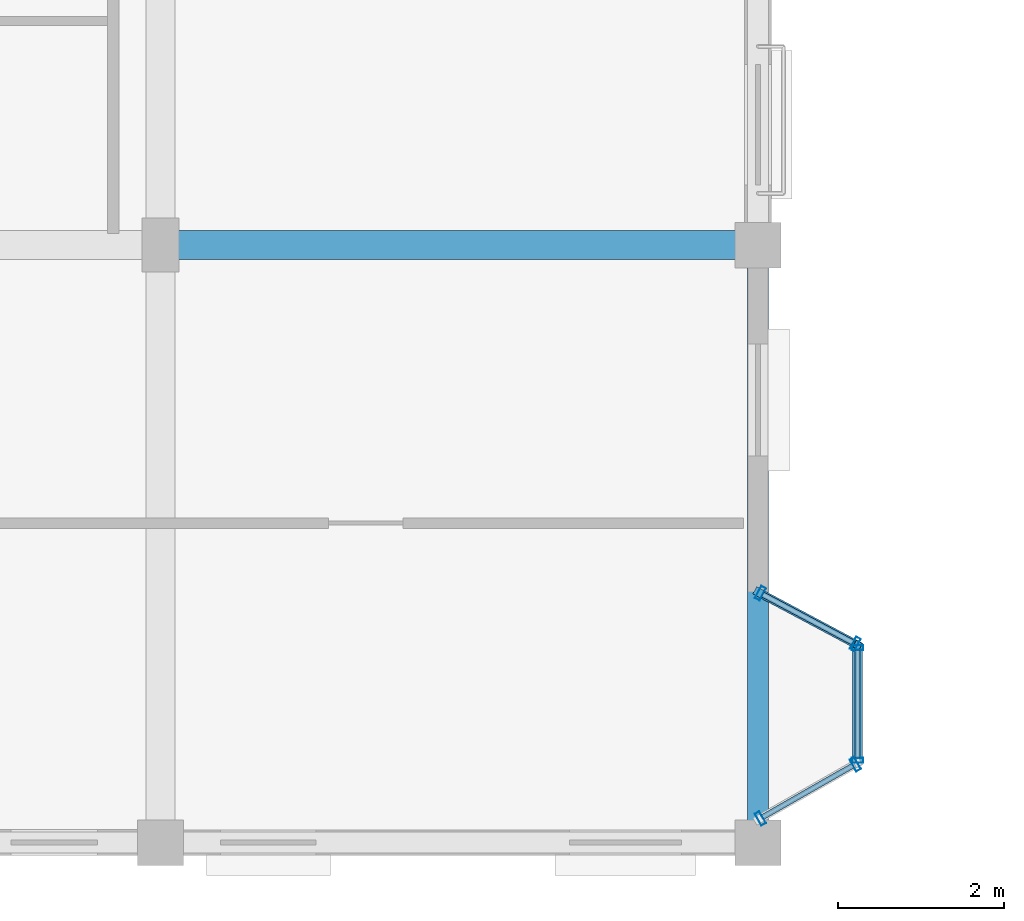
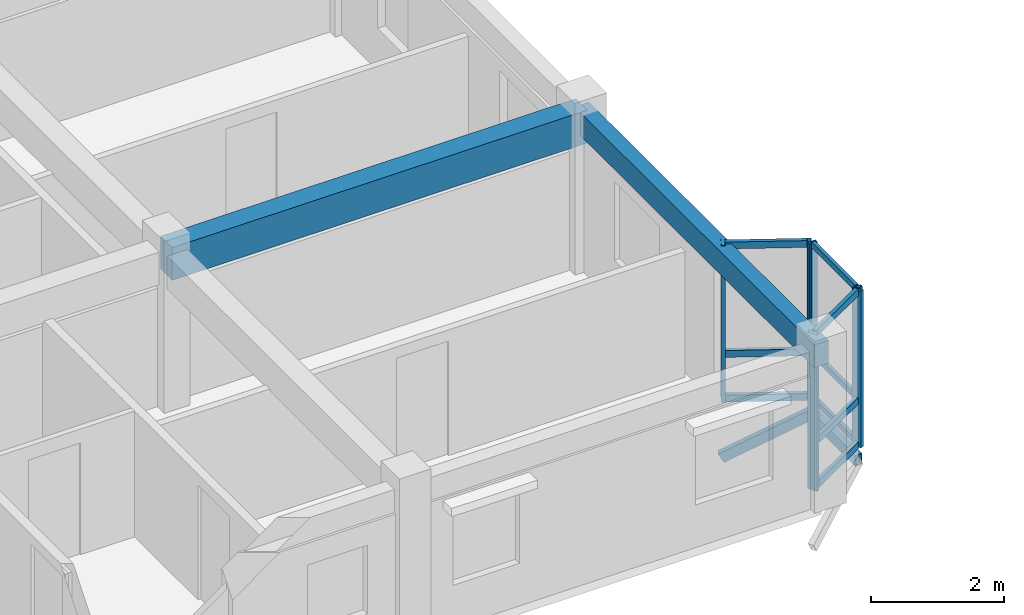
# One storey, part 6 of 75: 17 members, 2 beams, 3 elements without a shape of their own.
"""IFC4 building model written with IfcOpenShell, lengths in metres."""

from ifc_helpers import new_model, si_unit, direction, frame, origin, origin_2d, place, context, subcontext, project, spatial, rectangle, hollow_rectangle, extrude, material, layer, layer_set, material_profile, profile_set, type_object, element, aggregate, save


model = new_model("IFC4")

# Units and contexts
model_context = context("Model", 3, precision=1e-05, world=origin(), true_north=direction((0.0, 1.0)))
body_context = subcontext(model_context, "Body", "Model", "MODEL_VIEW")
ifc_project = project(units=[si_unit("LENGTHUNIT", "METRE"), si_unit("AREAUNIT", "SQUARE_METRE"), si_unit("VOLUMEUNIT", "CUBIC_METRE"), si_unit("PLANEANGLEUNIT", "RADIAN"), si_unit("MASSUNIT", "GRAM", prefix="KILO"), si_unit("THERMODYNAMICTEMPERATUREUNIT", "KELVIN"), si_unit("POWERUNIT", "WATT")], contexts=[model_context])

# Site, building, storey
site_placement = place(None, origin())
site = spatial("IfcSite", under=ifc_project, at=site_placement, CompositionType="ELEMENT")
building_placement = place(site_placement, origin())
building = spatial("IfcBuilding", under=site, at=building_placement, Name="Tavuni Mirador Residences", CompositionType="ELEMENT")
storey_placement = place(building_placement, frame((0.0, 0.0, 20.25)))
storey = spatial("IfcBuildingStorey", under=building, at=storey_placement, Name="L06", CompositionType="ELEMENT", Elevation=20.25)

# Beams
ifc_material_1 = material(Name="Precast concrete C40/50", Category="concrete")
ifc_material_profile_1 = material_profile(ifc_material_1, rectangle(XDim=0.35009765625, YDim=0.60009765625, at=origin_2d()), Name="PC 350x600", Category="concrete")
ifc_profile_set_1 = profile_set([ifc_material_profile_1], Name="Precast concrete C40/50")
beam_type_1 = type_object("IfcBeamType", Name="BT-B600", PredefinedType="BEAM", material=ifc_profile_set_1)
beam_1_placement = place(storey_placement, frame((25.199951171875, 14.39990234375, 2.570068359375), z_axis=(1.0, 0.0, 0.0), x_axis=(0.0, 1.0, 0.0)))
element("IfcBeam", 1, at=beam_1_placement, inside=storey, type_object=beam_type_1, Name="BMX-BLK-A-L06-03-01", PredefinedType="BEAM", context=body_context, shape_type="SweptSolid", body=[
    extrude(rectangle(XDim=0.35009765625, YDim=0.60009765625, at=origin_2d()), origin(), (0.0, 0.0, 1.0), 7.199951171875),
])
ifc_material_profile_2 = material_profile(ifc_material_1, rectangle(XDim=0.25, YDim=0.419921875, at=origin_2d()), Name="PC 250x420", Category="concrete")
ifc_profile_set_2 = profile_set([ifc_material_profile_2], Name="Precast concrete C40/50")
beam_type_2 = type_object("IfcBeamType", Name="BT-SP420", PredefinedType="SPANDREL", material=ifc_profile_set_2)
beam_2_placement = place(storey_placement, frame((32.39990234375, 7.199951171875, 2.659912109375), z_axis=(0.0, 1.0, 0.0), x_axis=(-1.0, 0.0, 0.0)))
element("IfcBeam", 2, at=beam_2_placement, inside=storey, type_object=beam_type_2, Name="BMY-BLK-A-L06-04-00", PredefinedType="SPANDREL", context=body_context, shape_type="SweptSolid", body=[
    extrude(rectangle(XDim=0.25, YDim=0.419921875, at=origin_2d()), origin(), (0.0, 0.0, 1.0), 7.199951171875),
])

# Curtain wall, members
ifc_material_2 = material(Name="Anodised aluminium", Category="aluminium")
ifc_layer_1 = layer(ifc_material_2, 0.175048828125, Name="Anodised aluminium", Category="aluminium")
ifc_layer_set_1 = layer_set([ifc_layer_1], Name="Anodised aluminium")
curtain_wall_type_1 = type_object("IfcCurtainWallType", Name="CWT-MIR-C", PredefinedType="NOTDEFINED", material=ifc_layer_set_1)
curtain_wall_1_placement = place(storey_placement, origin())
curtain_wall_1 = element("IfcCurtainWall", 3, at=curtain_wall_1_placement, inside=storey, type_object=curtain_wall_type_1, Name="CW-MIR-A-E1-L06-MF", PredefinedType="NOTDEFINED")
ifc_material_profile_3 = material_profile(ifc_material_2, hollow_rectangle(XDim=0.06005859375, YDim=0.139892578125, WallThickness=0.00390625, at=origin_2d()), Name="ALU 60x140x4.0", Category="aluminium")
ifc_profile_set_3 = profile_set([ifc_material_profile_3], Name="Anodised aluminium")
member_type_1 = type_object("IfcMemberType", Name="CWM-140", PredefinedType="MULLION", material=ifc_profile_set_3)
member_1_placement = place(storey_placement, frame((33.60009765625, 8.18994140625, 0.0), z_axis=(0.0, 0.0, 1.0), x_axis=(0.0, 1.0, 0.0)))
member_1 = element("IfcMember", 4, at=member_1_placement, type_object=member_type_1, Name="CW-03 mullion 1", PredefinedType="MULLION", context=body_context, shape_type="SweptSolid", body=[
    extrude(hollow_rectangle(XDim=0.06005859375, YDim=0.139892578125, WallThickness=0.00390625, at=origin_2d()), origin(), (0.0, 0.0, 1.0), 2.8701171875),
])
member_2_placement = place(storey_placement, frame((33.60009765625, 9.550048828125, 0.0), z_axis=(0.0, 0.0, 1.0), x_axis=(0.0, 1.0, 0.0)))
member_2 = element("IfcMember", 5, at=member_2_placement, type_object=member_type_1, Name="CW-03 mullion 2", PredefinedType="MULLION", context=body_context, shape_type="SweptSolid", body=[
    extrude(hollow_rectangle(XDim=0.06005859375, YDim=0.139892578125, WallThickness=0.00390625, at=origin_2d()), origin(), (0.0, 0.0, 1.0), 2.8701171875),
])

ifc_layer_2 = layer(ifc_material_2, 0.14990234375, Name="Anodised aluminium", Category="aluminium")
ifc_layer_set_2 = layer_set([ifc_layer_2], Name="Anodised aluminium")
curtain_wall_type_2 = type_object("IfcCurtainWallType", Name="CWT-MIR-B", PredefinedType="NOTDEFINED", material=ifc_layer_set_2)
curtain_wall_2_placement = place(storey_placement, origin())
curtain_wall_2 = element("IfcCurtainWall", 6, at=curtain_wall_2_placement, inside=storey, type_object=curtain_wall_type_2, Name="CW-MIR-A-E1-L06-M1", PredefinedType="NOTDEFINED")
ifc_material_profile_4 = material_profile(ifc_material_2, hollow_rectangle(XDim=0.06494140625, YDim=0.1650390625, WallThickness=0.00439453125, at=origin_2d()), Name="ALU 65x165x4.5", Category="aluminium")
ifc_profile_set_4 = profile_set([ifc_material_profile_4], Name="Anodised aluminium")
member_type_2 = type_object("IfcMemberType", Name="CWM-165", PredefinedType="MULLION", material=ifc_profile_set_4)
member_3_placement = place(storey_placement, frame((32.42822265625, 7.4912109375, 0.0), z_axis=(0.0, 0.0, 1.0), x_axis=(0.868465738194, 0.495749192217, 0.0)))
member_3 = element("IfcMember", 7, at=member_3_placement, type_object=member_type_2, Name="CW-02 mullion 1", PredefinedType="MULLION", context=body_context, shape_type="SweptSolid", body=[
    extrude(hollow_rectangle(XDim=0.06494140625, YDim=0.1650390625, WallThickness=0.00439453125, at=origin_2d()), origin(), (0.0, 0.0, 1.0), 2.8701171875),
])
member_4_placement = place(storey_placement, frame((33.57177734375, 8.143798828125, 0.0), z_axis=(0.0, 0.0, 1.0), x_axis=(0.868465738194, 0.495749192217, 0.0)))
member_4 = element("IfcMember", 8, at=member_4_placement, type_object=member_type_2, Name="CW-02 mullion 2", PredefinedType="MULLION", context=body_context, shape_type="SweptSolid", body=[
    extrude(hollow_rectangle(XDim=0.06494140625, YDim=0.1650390625, WallThickness=0.00439453125, at=origin_2d()), origin(), (0.0, 0.0, 1.0), 2.8701171875),
])

ifc_layer_3 = layer(ifc_material_2, 0.159912109375, Name="Anodised aluminium", Category="aluminium")
ifc_layer_set_3 = layer_set([ifc_layer_3], Name="Anodised aluminium")
curtain_wall_type_3 = type_object("IfcCurtainWallType", Name="CWT-MIR-D", PredefinedType="NOTDEFINED", material=ifc_layer_set_3)
curtain_wall_3_placement = place(storey_placement, origin())
curtain_wall_3 = element("IfcCurtainWall", 9, at=curtain_wall_3_placement, inside=storey, type_object=curtain_wall_type_3, Name="CW-MIR-A-E1-L06-M2", PredefinedType="NOTDEFINED")
member_5_placement = place(storey_placement, frame((33.5712890625, 9.59521484375, 0.0), z_axis=(0.0, 0.0, 1.0), x_axis=(-0.882352941175, 0.470588235296, 0.0)))
member_5 = element("IfcMember", 10, at=member_5_placement, type_object=member_type_2, Name="CW-04 mullion 1", PredefinedType="MULLION", context=body_context, shape_type="SweptSolid", body=[
    extrude(hollow_rectangle(XDim=0.06494140625, YDim=0.1650390625, WallThickness=0.00439453125, at=origin_2d()), origin(), (0.0, 0.0, 1.0), 2.8701171875),
])
member_6_placement = place(storey_placement, frame((32.4287109375, 10.20458984375, 0.0), z_axis=(0.0, 0.0, 1.0), x_axis=(-0.882352941175, 0.470588235296, 0.0)))
member_6 = element("IfcMember", 11, at=member_6_placement, type_object=member_type_2, Name="CW-04 mullion 2", PredefinedType="MULLION", context=body_context, shape_type="SweptSolid", body=[
    extrude(hollow_rectangle(XDim=0.06494140625, YDim=0.1650390625, WallThickness=0.00439453125, at=origin_2d()), origin(), (0.0, 0.0, 1.0), 2.8701171875),
])

# Member
ifc_material_profile_5 = material_profile(ifc_material_2, hollow_rectangle(XDim=0.06005859375, YDim=0.110107421875, WallThickness=0.00390625, at=origin_2d()), Name="ALU 60x110x4.0", Category="aluminium")
ifc_profile_set_5 = profile_set([ifc_material_profile_5], Name="Anodised aluminium")
member_type_3 = type_object("IfcMemberType", Name="CWT-110", PredefinedType="USERDEFINED", material=ifc_profile_set_5)
member_7_placement = place(storey_placement, frame((33.60009765625, 8.219970703125, 0.030029296875), z_axis=(0.0, 1.0, 0.0), x_axis=(-1.0, 0.0, 0.0)))
member_7 = element("IfcMember", 12, at=member_7_placement, type_object=member_type_3, Name="CW-03 transom 1.1", ObjectType="TRANSOM", PredefinedType="USERDEFINED", context=body_context, shape_type="SweptSolid", body=[
    extrude(hollow_rectangle(XDim=0.06005859375, YDim=0.110107421875, WallThickness=0.00390625, at=origin_2d()), origin(), (0.0, 0.0, 1.0), 1.300048828125),
])

member_8_placement = place(storey_placement, frame((33.60009765625, 8.219970703125, 0.85009765625), z_axis=(0.0, 1.0, 0.0), x_axis=(-1.0, 0.0, 0.0)))
member_8 = element("IfcMember", 13, at=member_8_placement, type_object=member_type_3, Name="CW-03 transom 1.2", ObjectType="TRANSOM", PredefinedType="USERDEFINED", context=body_context, shape_type="SweptSolid", body=[
    extrude(hollow_rectangle(XDim=0.06005859375, YDim=0.110107421875, WallThickness=0.00390625, at=origin_2d()), origin(), (0.0, 0.0, 1.0), 1.300048828125),
])

member_9_placement = place(storey_placement, frame((33.60009765625, 8.219970703125, 2.840087890625), z_axis=(0.0, 1.0, 0.0), x_axis=(-1.0, 0.0, 0.0)))
member_9 = element("IfcMember", 14, at=member_9_placement, type_object=member_type_3, Name="CW-03 transom 1.3", ObjectType="TRANSOM", PredefinedType="USERDEFINED", context=body_context, shape_type="SweptSolid", body=[
    extrude(hollow_rectangle(XDim=0.06005859375, YDim=0.110107421875, WallThickness=0.00390625, at=origin_2d()), origin(), (0.0, 0.0, 1.0), 1.300048828125),
])

aggregate(curtain_wall_1, [member_1, member_2, member_7, member_8, member_9])

ifc_material_profile_6 = material_profile(ifc_material_2, hollow_rectangle(XDim=0.06494140625, YDim=0.125, WallThickness=0.00439453125, at=origin_2d()), Name="ALU 65x125x4.5", Category="aluminium")
ifc_profile_set_6 = profile_set([ifc_material_profile_6], Name="Anodised aluminium")
member_type_4 = type_object("IfcMemberType", Name="CWT-125", PredefinedType="USERDEFINED", material=ifc_profile_set_6)
member_10_placement = place(storey_placement, frame((32.45654296875, 7.50732421875, 0.032470703125), z_axis=(0.868495133122, 0.495697693905, 0.0), x_axis=(-0.495697693905, 0.868495133122, 0.0)))
member_10 = element("IfcMember", 15, at=member_10_placement, type_object=member_type_4, Name="CW-02 transom 1.1", ObjectType="TRANSOM", PredefinedType="USERDEFINED", context=body_context, shape_type="SweptSolid", body=[
    extrude(hollow_rectangle(XDim=0.06494140625, YDim=0.125, WallThickness=0.00439453125, at=origin_2d()), origin(), (0.0, 0.0, 1.0), 1.25146484375),
])

member_11_placement = place(storey_placement, frame((32.45654296875, 7.50732421875, 0.85009765625), z_axis=(0.868495133122, 0.495697693905, 0.0), x_axis=(-0.495697693905, 0.868495133122, 0.0)))
member_11 = element("IfcMember", 16, at=member_11_placement, type_object=member_type_4, Name="CW-02 transom 1.2", ObjectType="TRANSOM", PredefinedType="USERDEFINED", context=body_context, shape_type="SweptSolid", body=[
    extrude(hollow_rectangle(XDim=0.06494140625, YDim=0.125, WallThickness=0.00439453125, at=origin_2d()), origin(), (0.0, 0.0, 1.0), 1.25146484375),
])

member_12_placement = place(storey_placement, frame((32.45654296875, 7.50732421875, 2.83740234375), z_axis=(0.868495133122, 0.495697693905, 0.0), x_axis=(-0.495697693905, 0.868495133122, 0.0)))
member_12 = element("IfcMember", 17, at=member_12_placement, type_object=member_type_4, Name="CW-02 transom 1.3", ObjectType="TRANSOM", PredefinedType="USERDEFINED", context=body_context, shape_type="SweptSolid", body=[
    extrude(hollow_rectangle(XDim=0.06494140625, YDim=0.125, WallThickness=0.00439453125, at=origin_2d()), origin(), (0.0, 0.0, 1.0), 1.25146484375),
])

aggregate(curtain_wall_2, [member_3, member_4, member_10, member_11, member_12])

member_13_placement = place(storey_placement, frame((33.542724609375, 9.610595703125, 0.032470703125), z_axis=(-0.882369422046, 0.47055733236, 0.0), x_axis=(-0.47055733236, -0.882369422046, 0.0)))
member_13 = element("IfcMember", 18, at=member_13_placement, type_object=member_type_4, Name="CW-04 transom 1.1", ObjectType="TRANSOM", PredefinedType="USERDEFINED", context=body_context, shape_type="SweptSolid", body=[
    extrude(hollow_rectangle(XDim=0.06494140625, YDim=0.125, WallThickness=0.00439453125, at=origin_2d()), origin(), (0.0, 0.0, 1.0), 1.230224609375),
])

member_14_placement = place(storey_placement, frame((33.542724609375, 9.610595703125, 0.85009765625), z_axis=(-0.882369422046, 0.47055733236, 0.0), x_axis=(-0.47055733236, -0.882369422046, 0.0)))
member_14 = element("IfcMember", 19, at=member_14_placement, type_object=member_type_4, Name="CW-04 transom 1.2", ObjectType="TRANSOM", PredefinedType="USERDEFINED", context=body_context, shape_type="SweptSolid", body=[
    extrude(hollow_rectangle(XDim=0.06494140625, YDim=0.125, WallThickness=0.00439453125, at=origin_2d()), origin(), (0.0, 0.0, 1.0), 1.230224609375),
])

member_15_placement = place(storey_placement, frame((33.542724609375, 9.610595703125, 2.83740234375), z_axis=(-0.882369422046, 0.47055733236, 0.0), x_axis=(-0.47055733236, -0.882369422046, 0.0)))
member_15 = element("IfcMember", 20, at=member_15_placement, type_object=member_type_4, Name="CW-04 transom 1.3", ObjectType="TRANSOM", PredefinedType="USERDEFINED", context=body_context, shape_type="SweptSolid", body=[
    extrude(hollow_rectangle(XDim=0.06494140625, YDim=0.125, WallThickness=0.00439453125, at=origin_2d()), origin(), (0.0, 0.0, 1.0), 1.230224609375),
])

aggregate(curtain_wall_3, [member_5, member_6, member_13, member_14, member_15])

# Members
ifc_material_3 = material(Name="Structural steel S355", Category="steel")
ifc_material_profile_7 = material_profile(ifc_material_3, hollow_rectangle(XDim=0.10009765625, YDim=0.179931640625, WallThickness=0.008056640625, at=origin_2d()), Name="RHS 180x100x8.0", Category="steel")
ifc_profile_set_7 = profile_set([ifc_material_profile_7], Name="Structural steel S355")
member_type_5 = type_object("IfcMemberType", Name="MT-BR-RHS180", PredefinedType="BRACE", material=ifc_profile_set_7)
member_16_placement = place(storey_placement, frame((32.39990234375, 10.219970703125, -1.050048828125), z_axis=(0.767896193149, -0.409409260017, 0.492665702439), x_axis=(0.470467115558, 0.882417527692, 0.0)))
element("IfcMember", 21, at=member_16_placement, inside=storey, type_object=member_type_5, Name="MBRK-MIR-A-E1-L06-2", PredefinedType="BRACE", context=body_context, shape_type="SweptSolid", body=[
    extrude(hollow_rectangle(XDim=0.10009765625, YDim=0.179931640625, WallThickness=0.008056640625, at=origin_2d()), origin(), (0.0, 0.0, 1.0), 1.56298828125),
])
ifc_material_profile_8 = material_profile(ifc_material_3, hollow_rectangle(XDim=0.1201171875, YDim=0.199951171875, WallThickness=0.010009765625, at=origin_2d()), Name="RHS 200x120x10.0", Category="steel")
ifc_profile_set_8 = profile_set([ifc_material_profile_8], Name="Structural steel S355")
member_type_6 = type_object("IfcMemberType", Name="MT-ST-RHS200", PredefinedType="STRUT", material=ifc_profile_set_8)
member_17_placement = place(storey_placement, frame((33.60009765625, 8.159912109375, -0.280029296875), z_axis=(0.0, 1.0, 0.0), x_axis=(-1.0, 0.0, 0.0)))
element("IfcMember", 22, at=member_17_placement, inside=storey, type_object=member_type_6, Name="MRIM-MIR-A-E1-L06", PredefinedType="STRUT", context=body_context, shape_type="SweptSolid", body=[
    extrude(hollow_rectangle(XDim=0.1201171875, YDim=0.199951171875, WallThickness=0.010009765625, at=origin_2d()), origin(), (0.0, 0.0, 1.0), 1.420166015625),
])

save(model, "model.ifc")
